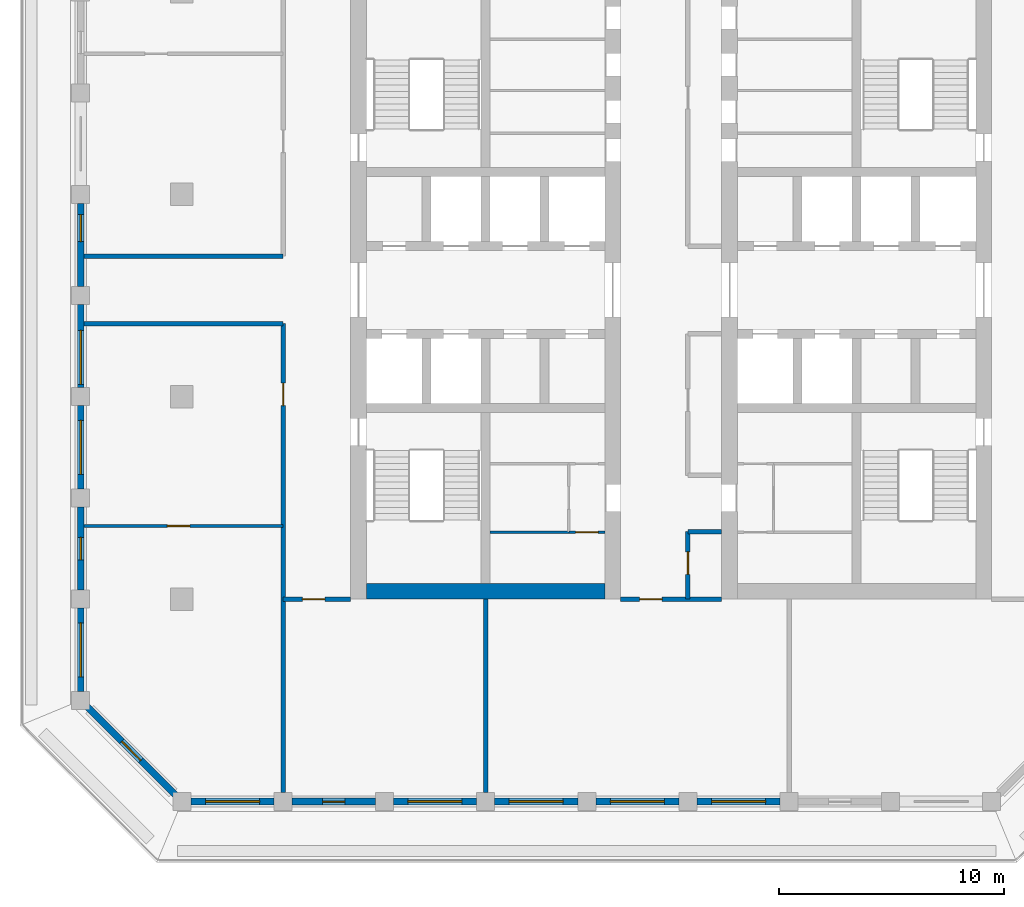
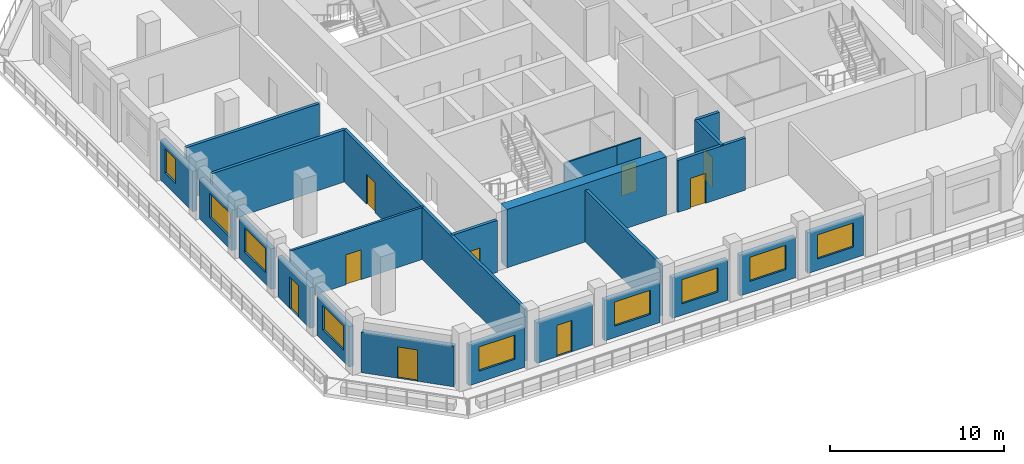
# One storey, part 2 of 14: 24 walls, 9 doors, 9 windows, 18 openings.
"""IFC4 building model written with IfcOpenShell, lengths in metres."""

import ifcopenshell
import ifcopenshell.guid

model = None  # the IFC model being written
_history = None  # IfcOwnerHistory: only IFC2X3 demands one
_inside = {}  # id of a spatial element -> (the spatial element, [elements in it])
_under = {}  # id of a project, library or spatial element -> (it, [spatial elements below it])
_declared = {}  # id of a project -> (the project, [libraries it declares])
_typed = {}  # id of a type object -> (the type object, [elements of that type])
_made_of = {}  # id of a material, layer set ... -> (it, [elements and type objects made of it])


def new_model(schema):
    """Start an empty IFC model of exactly this schema.

    Asked for "IFC4X3", IfcOpenShell would pick the latest addendum, in which some entities
    have other attributes; the version numbers below select the first issue.
    IFC2X3 requires an IfcOwnerHistory on every rooted entity: one is made here for all.
    """
    global model, _history
    if schema == "IFC4X3":
        model = ifcopenshell.file(schema_version=(4, 3, 0, 0))
    else:
        model = ifcopenshell.file(schema=schema)
    _inside.clear()
    _under.clear()
    _declared.clear()
    _typed.clear()
    _made_of.clear()
    _history = None
    if model.schema == "IFC2X3":
        org = make("IfcOrganization", Name="unknown")
        user = make(
            "IfcPersonAndOrganization",
            ThePerson=make("IfcPerson", FamilyName="unknown"),
            TheOrganization=org,
        )
        app = make(
            "IfcApplication",
            ApplicationDeveloper=org,
            Version="unknown",
            ApplicationFullName="unknown",
            ApplicationIdentifier="unknown",
        )
        _history = make(
            "IfcOwnerHistory",
            OwningUser=user,
            OwningApplication=app,
            ChangeAction="ADDED",
            CreationDate=0,
        )
    return model


def make(cls, **values):
    """One entity of the class cls with the attributes given. An attribute that is None is left unset."""
    return model.create_entity(
        cls, **{name: value for name, value in values.items() if value is not None}
    )


def rooted(cls, **values):
    """An entity with a GlobalId (a new one), such as an element, a storey or a relation."""
    return make(cls, GlobalId=ifcopenshell.guid.new(), OwnerHistory=_history, **values)


def si_unit(unit_type, name, prefix=None):
    """IfcSIUnit, for example si_unit("LENGTHUNIT", "METRE", prefix="MILLI")."""
    return make("IfcSIUnit", UnitType=unit_type, Prefix=prefix, Name=name)


def assignment(units):
    """IfcUnitAssignment: the units of a project."""
    return None if units is None else make("IfcUnitAssignment", Units=units)


def point(xyz):
    """IfcCartesianPoint."""
    return None if xyz is None else make("IfcCartesianPoint", Coordinates=xyz)


def direction(xyz):
    """IfcDirection."""
    return None if xyz is None else make("IfcDirection", DirectionRatios=xyz)


def frame(location, z_axis=None, x_axis=None):
    """IfcAxis2Placement3D, a coordinate frame: its origin and axes. An axis left out is left unset."""
    return make(
        "IfcAxis2Placement3D",
        Location=point(location),
        Axis=direction(z_axis),
        RefDirection=direction(x_axis),
    )


def frame_2d(location, x_axis=None):
    """IfcAxis2Placement2D, a coordinate frame in the plane: its origin and x axis."""
    return make(
        "IfcAxis2Placement2D", Location=point(location), RefDirection=direction(x_axis)
    )


def origin():
    """The frame at (0, 0, 0) with its axes left unset."""
    return frame((0.0, 0.0, 0.0))


def place(relative_to, where):
    """IfcLocalPlacement: puts the frame where relative to a parent placement (None: the world)."""
    return make(
        "IfcLocalPlacement", PlacementRelTo=relative_to, RelativePlacement=where
    )


def context(
    kind, dimensions, precision=None, world=None, true_north=None, identifier=None
):
    """IfcGeometricRepresentationContext, for example the 3D "Model" context."""
    return make(
        "IfcGeometricRepresentationContext",
        ContextIdentifier=identifier,
        ContextType=kind,
        CoordinateSpaceDimension=dimensions,
        Precision=precision,
        WorldCoordinateSystem=world,
        TrueNorth=true_north,
    )


def subcontext(parent, identifier, kind, view, scale=None):
    """IfcGeometricRepresentationSubContext, for example "Body" below "Model"."""
    return make(
        "IfcGeometricRepresentationSubContext",
        ContextIdentifier=identifier,
        ContextType=kind,
        ParentContext=parent,
        TargetScale=scale,
        TargetView=view,
    )


def project(units=None, contexts=None):
    """IfcProject with its units and contexts."""
    return rooted(
        "IfcProject",
        Name="project",
        RepresentationContexts=contexts,
        UnitsInContext=assignment(units),
    )


def spatial(cls, under=None, at=None, **own):
    """A site, building, storey or space (cls), placed at a placement, below another one or the project."""
    s = rooted(cls, ObjectPlacement=at, **own)
    if under is not None:
        _under.setdefault(under.id(), (under, []))[1].append(s)
    return s


def profile(cls, at=None, kind="AREA", **sizes):
    """A parametric profile (cls). Its sizes go by their IFC names, for example OverallWidth=200.0."""
    return make(cls, ProfileType=kind, Position=at, **sizes)


def rectangle(**sizes):
    """IfcRectangleProfileDef."""
    return profile("IfcRectangleProfileDef", **sizes)


def extrude(swept, where, along, depth):
    """IfcExtrudedAreaSolid: the profile swept, set in the frame where, extruded along a direction by depth."""
    return make(
        "IfcExtrudedAreaSolid",
        SweptArea=swept,
        Position=where,
        ExtrudedDirection=direction(along),
        Depth=depth,
    )


def shape(context_of_items, identifier, shape_type, items):
    """IfcShapeRepresentation: the items that make up one representation, for example the "Body"."""
    return make(
        "IfcShapeRepresentation",
        ContextOfItems=context_of_items,
        RepresentationIdentifier=identifier,
        RepresentationType=shape_type,
        Items=items,
    )


def material(Name=None, Category=None):
    """IfcMaterial."""
    return make("IfcMaterial", Name=Name, Category=Category)


def layer(
    of_material, thickness, ventilated=None, Name=None, Category=None, Priority=None
):
    """IfcMaterialLayer: one layer of a wall or slab, of a material (None: an air gap)."""
    return make(
        "IfcMaterialLayer",
        Material=of_material,
        LayerThickness=thickness,
        IsVentilated=ventilated,
        Name=Name,
        Category=Category,
        Priority=Priority,
    )


def layer_set(layers, Name=None):
    """IfcMaterialLayerSet."""
    return make("IfcMaterialLayerSet", MaterialLayers=layers, LayerSetName=Name)


def made_of(thing, what):
    """Note that an element or type object is made of a material, layer set ...; save() writes the relation."""
    if what is not None:
        _made_of.setdefault(what.id(), (what, []))[1].append(thing)
    return thing


def type_object(cls, material=None, **own):
    """A type object (cls), such as IfcWallType, which elements share."""
    return made_of(rooted(cls, **own), material)


def element(
    cls,
    number,
    at=None,
    inside=None,
    cuts=None,
    type_object=None,
    material=None,
    context=None,
    identifier="Body",
    shape_type=None,
    held_by="IfcProductDefinitionShape",
    body=None,
    shapes=None,
    **own,
):
    """One element of the class cls, such as IfcWall. Its Tag is "e" and its number.

    at: its placement. inside: the storey or other place that contains it. cuts: it is an
    opening in that element (IfcRelVoidsElement). A single representation is given by context,
    identifier, shape_type and body (its items); several are given by shapes. held_by: the class
    of the entity that holds the representations. save() writes the other relations.
    """
    e = rooted(cls, Tag="e%d" % number, ObjectPlacement=at, **own)
    if body is not None:
        shapes = [shape(context, identifier, shape_type, body)]
    if shapes is not None:
        e.Representation = make(held_by, Representations=shapes)
    if inside is not None:
        _inside.setdefault(inside.id(), (inside, []))[1].append(e)
    if cuts is not None:
        rooted(
            "IfcRelVoidsElement", RelatingBuildingElement=cuts, RelatedOpeningElement=e
        )
    if type_object is not None:
        _typed.setdefault(type_object.id(), (type_object, []))[1].append(e)
    return made_of(e, material)


def fill(opening, filler):
    """IfcRelFillsElement: the door or window that sits in an opening."""
    return rooted(
        "IfcRelFillsElement",
        RelatingOpeningElement=opening,
        RelatedBuildingElement=filler,
    )


def aggregate(whole, parts):
    """IfcRelAggregates: a whole, such as a stair, and the parts it consists of."""
    return rooted("IfcRelAggregates", RelatingObject=whole, RelatedObjects=parts)


def save(model, path):
    """Write the relations noted so far, then the file.

    IfcRelAggregates (storeys below a building ...), IfcRelContainedInSpatialStructure (elements
    in a storey), IfcRelDefinesByType, IfcRelAssociatesMaterial and IfcRelDeclares: one each for
    every whole, place, type object, material and project.
    """
    for whole, parts in _under.values():
        aggregate(whole, parts)
    for where, things in _inside.values():
        rooted(
            "IfcRelContainedInSpatialStructure",
            RelatedElements=things,
            RelatingStructure=where,
        )
    for kind, things in _typed.values():
        rooted("IfcRelDefinesByType", RelatedObjects=things, RelatingType=kind)
    for what, things in _made_of.values():
        rooted("IfcRelAssociatesMaterial", RelatedObjects=things, RelatingMaterial=what)
    for by, libraries in _declared.values():
        rooted("IfcRelDeclares", RelatingContext=by, RelatedDefinitions=libraries)
    model.write(path)


model = new_model("IFC4")

# Units and contexts
model_context = context("Model", 3, precision=1e-05, world=origin(), true_north=direction((0.0, 1.0)))
body_context = subcontext(model_context, "Body", "Model", "MODEL_VIEW")
ifc_project = project(units=[si_unit("LENGTHUNIT", "METRE"), si_unit("AREAUNIT", "SQUARE_METRE"), si_unit("VOLUMEUNIT", "CUBIC_METRE"), si_unit("PLANEANGLEUNIT", "RADIAN"), si_unit("MASSUNIT", "GRAM", prefix="KILO")], contexts=[model_context])

# Site, building, storey
site_placement = place(None, origin())
site = spatial("IfcSite", under=ifc_project, at=site_placement, CompositionType="ELEMENT")
building_placement = place(site_placement, origin())
building = spatial("IfcBuilding", under=site, at=building_placement, Name="Corbel Stack Research Tower", CompositionType="ELEMENT")
storey_placement = place(building_placement, frame((0.0, 0.0, 270.39990234375)))
storey = spatial("IfcBuildingStorey", under=building, at=storey_placement, Name="L61", CompositionType="ELEMENT", Elevation=270.39990234375)

# Wall
ifc_material_1 = material(Name="Concrete C60/75", Category="concrete")
ifc_layer_1 = layer(ifc_material_1, 0.699951171875)
ifc_layer_set_1 = layer_set([ifc_layer_1], Name="Concrete C60/75")
wall_type_1 = type_object("IfcWallType", Name="CW-700-60", PredefinedType="SHEAR", material=ifc_layer_set_1)
wall_1_placement = place(storey_placement, frame((-9.800048828125, -8.64990234375, 0.0), z_axis=(0.0, 0.0, 1.0), x_axis=(1.0, 0.0, 0.0)))
element("IfcWall", 1, at=wall_1_placement, inside=storey, type_object=wall_type_1, Name="West core wall, south end L61", PredefinedType="SHEAR", context=body_context, shape_type="SweptSolid", body=[
    extrude(rectangle(XDim=10.60009765625, YDim=0.699951171875, at=frame_2d((5.300048828125, 0.0))), origin(), (0.0, 0.0, 1.0), 4.10009765625),
])

# Wall, opening, door
ifc_material_2 = material(Name="Gypsum board")
ifc_layer_2 = layer(ifc_material_2, 0.10009765625)
ifc_layer_set_2 = layer_set([ifc_layer_2], Name="Gypsum board")
wall_type_2 = type_object("IfcWallType", Name="Core partition 100", PredefinedType="PARTITIONING", material=ifc_layer_set_2)
wall_2_placement = place(storey_placement, frame((-0.800048828125, -6.02001953125, 0.0), z_axis=(0.0, 0.0, 1.0), x_axis=(1.0, 0.0, 0.0)))
wall_2 = element("IfcWall", 2, at=wall_2_placement, inside=storey, type_object=wall_type_2, Name="Core partition W", PredefinedType="PARTITIONING", context=body_context, shape_type="SweptSolid", body=[
    extrude(rectangle(XDim=1.60009765625, YDim=0.10009765625, at=frame_2d((0.800048828125, 0.0))), origin(), (0.0, 0.0, 1.0), 3.650146484375),
])
opening_1_placement = place(wall_2_placement, frame((0.300048828125, 0.0, 0.0)))
opening_1 = element("IfcOpeningElement", 3, at=opening_1_placement, cuts=wall_2, Name="Opening CR-W36-W2-1000", PredefinedType="OPENING", context=body_context, shape_type="SweptSolid", body=[
    extrude(rectangle(XDim=1.0, YDim=2.10009765625, at=frame_2d((0.5, 1.050048828125))), frame((0.0, 0.06005859375, 0.0), z_axis=(0.0, -1.0, 0.0), x_axis=(1.0, 0.0, 0.0)), (0.0, 0.0, 1.0), 0.1201171875),
])
ifc_material_3 = material(Name="Painted timber door", Category="wood")
door_type_1 = type_object("IfcDoorType", Name="WC door 1000 x 2100 right hand", OperationType="SINGLE_SWING_RIGHT", PredefinedType="DOOR", material=ifc_material_3)
door_1_placement = place(opening_1_placement, origin())
door_1 = element("IfcDoor", 4, at=door_1_placement, inside=storey, type_object=door_type_1, Name="Men's WC door W core", OperationType="SINGLE_SWING_RIGHT", OverallHeight=2.10009765625, OverallWidth=1.0, PredefinedType="DOOR", context=body_context, shape_type="SweptSolid", body=[
    extrude(rectangle(XDim=1.0, YDim=2.10009765625, at=frame_2d((0.5, 1.050048828125))), frame((0.0, 0.02490234375, 0.0), z_axis=(0.0, -1.0, 0.0), x_axis=(1.0, 0.0, 0.0)), (0.0, 0.0, 1.0), 0.050048828125),
])
fill(opening_1, door_1)

# Wall
wall_3_placement = place(storey_placement, frame((-4.300048828125, -6.02001953125, 0.0), z_axis=(0.0, 0.0, 1.0), x_axis=(1.0, 0.0, 0.0)))
element("IfcWall", 5, at=wall_3_placement, inside=storey, type_object=wall_type_2, Name="Core partition W", PredefinedType="PARTITIONING", context=body_context, shape_type="SweptSolid", body=[
    extrude(rectangle(XDim=3.5, YDim=0.10009765625, at=frame_2d((1.75, 0.0))), origin(), (0.0, 0.0, 1.0), 3.650146484375),
])

# Wall, opening, door
ifc_material_4 = material(Name="Fire-rated gypsum board partition on steel studs", Category="steel")
ifc_layer_3 = layer(ifc_material_4, 0.199951171875)
ifc_layer_set_3 = layer_set([ifc_layer_3], Name="Fire-rated gypsum board partition on steel studs")
wall_type_3 = type_object("IfcWallType", Name="Fire-rated partition 200 EI 60", PredefinedType="PARTITIONING", material=ifc_layer_set_3)
wall_4_placement = place(storey_placement, frame((-13.5, -17.60009765625, 0.0), z_axis=(0.0, 0.0, 1.0), x_axis=(0.0, 1.0, 0.0)))
wall_4 = element("IfcWall", 6, at=wall_4_placement, inside=storey, type_object=wall_type_3, Name="Partition L61-001", PredefinedType="PARTITIONING", context=body_context, shape_type="SweptSolid", body=[
    extrude(rectangle(XDim=20.85009765625, YDim=0.199951171875, at=frame_2d((10.425048828125, 0.0))), origin(), (0.0, 0.0, 1.0), 3.650146484375),
])
opening_2_placement = place(wall_4_placement, frame((17.199951171875, 0.0, 0.0)))
opening_2 = element("IfcOpeningElement", 7, at=opening_2_placement, cuts=wall_4, Name="Opening B8V1-001", PredefinedType="OPENING", context=body_context, shape_type="SweptSolid", body=[
    extrude(rectangle(XDim=1.0, YDim=2.10009765625, at=frame_2d((0.5, 1.050048828125))), frame((0.0, 0.10986328125, 0.0), z_axis=(0.0, -1.0, 0.0), x_axis=(1.0, 0.0, 0.0)), (0.0, 0.0, 1.0), 0.219970703125),
])
ifc_material_5 = material(Name="Painted steel fire door", Category="steel")
door_type_2 = type_object("IfcDoorType", Name="Fire door FD30S 1000 x 2100", OperationType="NOTDEFINED", PredefinedType="DOOR", material=ifc_material_5)
door_2_placement = place(opening_2_placement, origin())
door_2 = element("IfcDoor", 8, at=door_2_placement, inside=storey, type_object=door_type_2, Name="Door B8V1-001", OperationType="SINGLE_SWING_RIGHT", OverallHeight=2.10009765625, OverallWidth=1.0, PredefinedType="DOOR", context=body_context, shape_type="SweptSolid", body=[
    extrude(rectangle(XDim=1.0, YDim=2.10009765625, at=frame_2d((0.5, 1.050048828125))), frame((0.0, 0.02490234375, 0.0), z_axis=(0.0, -1.0, 0.0), x_axis=(1.0, 0.0, 0.0)), (0.0, 0.0, 1.0), 0.050048828125),
])
fill(opening_2, door_2)

# Wall
wall_5_placement = place(storey_placement, frame((-4.5, -17.60009765625, 0.0), z_axis=(0.0, 0.0, 1.0), x_axis=(0.0, 1.0, 0.0)))
element("IfcWall", 9, at=wall_5_placement, inside=storey, type_object=wall_type_3, Name="Partition L61-003", PredefinedType="PARTITIONING", context=body_context, shape_type="SweptSolid", body=[
    extrude(rectangle(XDim=8.60009765625, YDim=0.199951171875, at=frame_2d((4.300048828125, 0.0))), origin(), (0.0, 0.0, 1.0), 3.650146484375),
])

# Wall, opening, door
wall_6_placement = place(storey_placement, frame((4.5, -6.0, 0.0), z_axis=(0.0, 0.0, 1.0), x_axis=(0.0, -1.0, 0.0)))
wall_6 = element("IfcWall", 10, at=wall_6_placement, inside=storey, type_object=wall_type_3, Name="Partition L61-005", PredefinedType="PARTITIONING", context=body_context, shape_type="SweptSolid", body=[
    extrude(rectangle(XDim=3.0, YDim=0.199951171875, at=frame_2d((1.5, 0.0))), origin(), (0.0, 0.0, 1.0), 3.650146484375),
])
opening_3_placement = place(wall_6_placement, frame((0.89990234375, 0.0, 0.0)))
opening_3 = element("IfcOpeningElement", 11, at=opening_3_placement, cuts=wall_6, Name="Opening B8V1-007", PredefinedType="OPENING", context=body_context, shape_type="SweptSolid", body=[
    extrude(rectangle(XDim=1.0, YDim=2.10009765625, at=frame_2d((0.5, 1.050048828125))), frame((0.0, 0.10986328125, 0.0), z_axis=(0.0, -1.0, 0.0), x_axis=(1.0, 0.0, 0.0)), (0.0, 0.0, 1.0), 0.219970703125),
])
door_3_placement = place(opening_3_placement, origin())
door_3 = element("IfcDoor", 12, at=door_3_placement, inside=storey, type_object=door_type_2, Name="Door B8V1-007", OperationType="SINGLE_SWING_LEFT", OverallHeight=2.10009765625, OverallWidth=1.0, PredefinedType="DOOR", context=body_context, shape_type="SweptSolid", body=[
    extrude(rectangle(XDim=1.0, YDim=2.10009765625, at=frame_2d((0.5, 1.050048828125))), frame((0.0, 0.02490234375, 0.0), z_axis=(0.0, -1.0, 0.0), x_axis=(1.0, 0.0, 0.0)), (0.0, 0.0, 1.0), 0.050048828125),
])
fill(opening_3, door_3)

wall_7_placement = place(storey_placement, frame((-10.5, -9.0, 0.0), z_axis=(0.0, 0.0, 1.0), x_axis=(-1.0, 0.0, 0.0)))
wall_7 = element("IfcWall", 13, at=wall_7_placement, inside=storey, type_object=wall_type_3, Name="Partition L61-011", PredefinedType="PARTITIONING", context=body_context, shape_type="SweptSolid", body=[
    extrude(rectangle(XDim=3.0, YDim=0.199951171875, at=frame_2d((1.5, 0.0))), origin(), (0.0, 0.0, 1.0), 3.650146484375),
])
opening_4_placement = place(wall_7_placement, frame((1.14990234375, 0.0, 0.0)))
opening_4 = element("IfcOpeningElement", 14, at=opening_4_placement, cuts=wall_7, Name="Opening B8V1-003", PredefinedType="OPENING", context=body_context, shape_type="SweptSolid", body=[
    extrude(rectangle(XDim=1.0, YDim=2.10009765625, at=frame_2d((0.5, 1.050048828125))), frame((0.0, 0.10986328125, 0.0), z_axis=(0.0, -1.0, 0.0), x_axis=(1.0, 0.0, 0.0)), (0.0, 0.0, 1.0), 0.219970703125),
])
door_4_placement = place(opening_4_placement, origin())
door_4 = element("IfcDoor", 15, at=door_4_placement, inside=storey, type_object=door_type_2, Name="Door B8V1-003", OperationType="SINGLE_SWING_RIGHT", OverallHeight=2.10009765625, OverallWidth=1.0, PredefinedType="DOOR", context=body_context, shape_type="SweptSolid", body=[
    extrude(rectangle(XDim=1.0, YDim=2.10009765625, at=frame_2d((0.5, 1.050048828125))), frame((0.0, 0.02490234375, 0.0), z_axis=(0.0, -1.0, 0.0), x_axis=(1.0, 0.0, 0.0)), (0.0, 0.0, 1.0), 0.050048828125),
])
fill(opening_4, door_4)

wall_8_placement = place(storey_placement, frame((6.0, -9.0, 0.0), z_axis=(0.0, 0.0, 1.0), x_axis=(-1.0, 0.0, 0.0)))
wall_8 = element("IfcWall", 16, at=wall_8_placement, inside=storey, type_object=wall_type_3, Name="Partition L61-012", PredefinedType="PARTITIONING", context=body_context, shape_type="SweptSolid", body=[
    extrude(rectangle(XDim=4.5, YDim=0.199951171875, at=frame_2d((2.25, 0.0))), origin(), (0.0, 0.0, 1.0), 3.650146484375),
])
opening_5_placement = place(wall_8_placement, frame((2.64990234375, 0.0, 0.0)))
opening_5 = element("IfcOpeningElement", 17, at=opening_5_placement, cuts=wall_8, Name="Opening B8V1-004", PredefinedType="OPENING", context=body_context, shape_type="SweptSolid", body=[
    extrude(rectangle(XDim=1.0, YDim=2.10009765625, at=frame_2d((0.5, 1.050048828125))), frame((0.0, 0.10986328125, 0.0), z_axis=(0.0, -1.0, 0.0), x_axis=(1.0, 0.0, 0.0)), (0.0, 0.0, 1.0), 0.219970703125),
])
door_5_placement = place(opening_5_placement, origin())
door_5 = element("IfcDoor", 18, at=door_5_placement, inside=storey, type_object=door_type_2, Name="Door B8V1-004", OperationType="SINGLE_SWING_RIGHT", OverallHeight=2.10009765625, OverallWidth=1.0, PredefinedType="DOOR", context=body_context, shape_type="SweptSolid", body=[
    extrude(rectangle(XDim=1.0, YDim=2.10009765625, at=frame_2d((0.5, 1.050048828125))), frame((0.0, 0.02490234375, 0.0), z_axis=(0.0, -1.0, 0.0), x_axis=(1.0, 0.0, 0.0)), (0.0, 0.0, 1.0), 0.050048828125),
])
fill(opening_5, door_5)

# Walls
wall_9_placement = place(storey_placement, frame((4.5, -6.0, 0.0), z_axis=(0.0, 0.0, 1.0), x_axis=(1.0, 0.0, 0.0)))
element("IfcWall", 19, at=wall_9_placement, inside=storey, type_object=wall_type_3, Name="Partition L61-014", PredefinedType="PARTITIONING", context=body_context, shape_type="SweptSolid", body=[
    extrude(rectangle(XDim=1.5, YDim=0.199951171875, at=frame_2d((0.75, 0.0))), origin(), (0.0, 0.0, 1.0), 3.650146484375),
])
for number, where, z_axis, x_axis, name in (
    (20, (-22.35009765625, 3.25, 0.0), (0.0, 0.0, 1.0), (1.0, 0.0, 0.0), "Partition L61-018"),
    (21, (-22.35009765625, 6.25, 0.0), (0.0, 0.0, 1.0), (1.0, 0.0, 0.0), "Partition L61-019"),
):
    element("IfcWall", number, at=place(storey_placement, frame(where, z_axis=z_axis, x_axis=x_axis)), inside=storey, type_object=wall_type_3, Name=name, PredefinedType="PARTITIONING", context=body_context, shape_type="SweptSolid", body=[
        extrude(rectangle(XDim=8.85009765625, YDim=0.199951171875, at=frame_2d((4.425048828125, 0.0))), origin(), (0.0, 0.0, 1.0), 3.650146484375),
    ])

# Wall, opening, door
ifc_material_6 = material(Name="Gypsum board partition on steel studs", Category="steel")
ifc_layer_4 = layer(ifc_material_6, 0.14990234375)
ifc_layer_set_4 = layer_set([ifc_layer_4], Name="Gypsum board partition on steel studs")
wall_type_4 = type_object("IfcWallType", Name="Partition 150", PredefinedType="PARTITIONING", material=ifc_layer_set_4)
wall_10_placement = place(storey_placement, frame((-13.5, -5.75, 0.0), z_axis=(0.0, 0.0, 1.0), x_axis=(-1.0, 0.0, 0.0)))
wall_10 = element("IfcWall", 22, at=wall_10_placement, inside=storey, type_object=wall_type_4, Name="Partition L61-015", PredefinedType="PARTITIONING", context=body_context, shape_type="SweptSolid", body=[
    extrude(rectangle(XDim=8.85009765625, YDim=0.14990234375, at=frame_2d((4.425048828125, 0.0))), origin(), (0.0, 0.0, 1.0), 3.650146484375),
])
opening_6_placement = place(wall_10_placement, frame((4.14990234375, 0.0, 0.0)))
opening_6 = element("IfcOpeningElement", 23, at=opening_6_placement, cuts=wall_10, Name="Opening B8V1-006", PredefinedType="OPENING", context=body_context, shape_type="SweptSolid", body=[
    extrude(rectangle(XDim=1.0, YDim=2.10009765625, at=frame_2d((0.5, 1.050048828125))), frame((0.0, 0.0849609375, 0.0), z_axis=(0.0, -1.0, 0.0), x_axis=(1.0, 0.0, 0.0)), (0.0, 0.0, 1.0), 0.169921875),
])
ifc_material_7 = material(Name="Painted timber door", Category="wood")
door_type_3 = type_object("IfcDoorType", Name="Single door 1000 x 2100", OperationType="NOTDEFINED", PredefinedType="DOOR", material=ifc_material_7)
door_6_placement = place(opening_6_placement, origin())
door_6 = element("IfcDoor", 24, at=door_6_placement, inside=storey, type_object=door_type_3, Name="Door B8V1-006", OperationType="SINGLE_SWING_RIGHT", OverallHeight=2.10009765625, OverallWidth=1.0, PredefinedType="DOOR", context=body_context, shape_type="SweptSolid", body=[
    extrude(rectangle(XDim=1.0, YDim=2.10009765625, at=frame_2d((0.5, 1.050048828125))), frame((0.0, 0.02490234375, 0.0), z_axis=(0.0, -1.0, 0.0), x_axis=(1.0, 0.0, 0.0)), (0.0, 0.0, 1.0), 0.050048828125),
])
fill(opening_6, door_6)

# Wall, opening, window
ifc_material_8 = material(Name="Concrete C45/55", Category="concrete")
ifc_layer_5 = layer(ifc_material_8, 0.300048828125)
ifc_layer_set_5 = layer_set([ifc_layer_5], Name="Concrete C45/55")
wall_type_5 = type_object("IfcWallType", Name="Terracotta-faced concrete wall 300", PredefinedType="SOLIDWALL", material=ifc_layer_set_5)
wall_11_placement = place(storey_placement, frame((-13.89990234375, -18.0, 0.0), z_axis=(0.0, 0.0, 1.0), x_axis=(-1.0, 0.0, 0.0)))
wall_11 = element("IfcWall", 25, at=wall_11_placement, inside=storey, type_object=wall_type_5, Name="Facade wall L61 S01", PredefinedType="SOLIDWALL", context=body_context, shape_type="SweptSolid", body=[
    extrude(rectangle(XDim=3.7001953125, YDim=0.300048828125, at=frame_2d((1.85009765625, 0.0))), origin(), (0.0, 0.0, 1.0), 2.85009765625),
])
opening_7_placement = place(wall_11_placement, frame((0.64990234375, 0.0, 0.800048828125)))
opening_7 = element("IfcOpeningElement", 26, at=opening_7_placement, cuts=wall_11, Name="Opening W1", PredefinedType="OPENING", context=body_context, shape_type="SweptSolid", body=[
    extrude(rectangle(XDim=2.39990234375, YDim=1.699951171875, at=frame_2d((1.199951171875, 0.85009765625))), frame((0.0, 0.159912109375, 0.0), z_axis=(0.0, -1.0, 0.0), x_axis=(1.0, 0.0, 0.0)), (0.0, 0.0, 1.0), 0.320068359375),
])
ifc_material_9 = material(Name="Aluminium frame, clear double glazing", Category="aluminium")
window_type_1 = type_object("IfcWindowType", Name="Window W1 2400 x 1700", PartitioningType="SINGLE_PANEL", PredefinedType="WINDOW", material=ifc_material_9)
window_1_placement = place(opening_7_placement, origin())
window_1 = element("IfcWindow", 27, at=window_1_placement, inside=storey, type_object=window_type_1, Name="Window W1 L61 S01", OverallHeight=1.699951171875, OverallWidth=2.39990234375, PartitioningType="SINGLE_PANEL", PredefinedType="WINDOW", context=body_context, shape_type="SweptSolid", body=[
    extrude(rectangle(XDim=2.39990234375, YDim=1.699951171875, at=frame_2d((1.199951171875, 0.85009765625))), frame((0.0, 0.030029296875, 0.0), z_axis=(0.0, -1.0, 0.0), x_axis=(1.0, 0.0, 0.0)), (0.0, 0.0, 1.0), 0.06005859375),
])
fill(opening_7, window_1)

# Wall, opening, door
wall_12_placement = place(storey_placement, frame((-9.39990234375, -18.0, 0.0), z_axis=(0.0, 0.0, 1.0), x_axis=(-1.0, 0.0, 0.0)))
wall_12 = element("IfcWall", 28, at=wall_12_placement, inside=storey, type_object=wall_type_5, Name="Facade wall L61 S02", PredefinedType="SOLIDWALL", context=body_context, shape_type="SweptSolid", body=[
    extrude(rectangle(XDim=3.7001953125, YDim=0.300048828125, at=frame_2d((1.85009765625, 0.0))), origin(), (0.0, 0.0, 1.0), 2.85009765625),
])
opening_8_placement = place(wall_12_placement, frame((1.35009765625, 0.0, 0.0)))
opening_8 = element("IfcOpeningElement", 29, at=opening_8_placement, cuts=wall_12, Name="Opening L61-B01", PredefinedType="OPENING", context=body_context, shape_type="SweptSolid", body=[
    extrude(rectangle(XDim=1.0, YDim=2.199951171875, at=frame_2d((0.5, 1.10009765625))), frame((0.0, 0.159912109375, 0.0), z_axis=(0.0, -1.0, 0.0), x_axis=(1.0, 0.0, 0.0)), (0.0, 0.0, 1.0), 0.320068359375),
])
ifc_material_10 = material(Name="Aluminium frame, clear double glazing", Category="aluminium")
door_type_4 = type_object("IfcDoorType", Name="Balcony door BD1 1000 x 2200", OperationType="NOTDEFINED", PredefinedType="DOOR", material=ifc_material_10)
door_7_placement = place(opening_8_placement, origin())
door_7 = element("IfcDoor", 30, at=door_7_placement, inside=storey, type_object=door_type_4, Name="Balcony door L61-B01", OperationType="SINGLE_SWING_LEFT", OverallHeight=2.199951171875, OverallWidth=1.0, PredefinedType="DOOR", context=body_context, shape_type="SweptSolid", body=[
    extrude(rectangle(XDim=1.0, YDim=2.199951171875, at=frame_2d((0.5, 1.10009765625))), frame((0.0, 0.02490234375, 0.0), z_axis=(0.0, -1.0, 0.0), x_axis=(1.0, 0.0, 0.0)), (0.0, 0.0, 1.0), 0.050048828125),
])
fill(opening_8, door_7)

# Wall, opening, window
wall_13_placement = place(storey_placement, frame((-4.89990234375, -18.0, 0.0), z_axis=(0.0, 0.0, 1.0), x_axis=(-1.0, 0.0, 0.0)))
wall_13 = element("IfcWall", 31, at=wall_13_placement, inside=storey, type_object=wall_type_5, Name="Facade wall L61 S03", PredefinedType="SOLIDWALL", context=body_context, shape_type="SweptSolid", body=[
    extrude(rectangle(XDim=3.7001953125, YDim=0.300048828125, at=frame_2d((1.85009765625, 0.0))), origin(), (0.0, 0.0, 1.0), 2.85009765625),
])
opening_9_placement = place(wall_13_placement, frame((0.64990234375, 0.0, 0.800048828125)))
opening_9 = element("IfcOpeningElement", 32, at=opening_9_placement, cuts=wall_13, Name="Opening W1", PredefinedType="OPENING", context=body_context, shape_type="SweptSolid", body=[
    extrude(rectangle(XDim=2.39990234375, YDim=1.699951171875, at=frame_2d((1.199951171875, 0.85009765625))), frame((0.0, 0.159912109375, 0.0), z_axis=(0.0, -1.0, 0.0), x_axis=(1.0, 0.0, 0.0)), (0.0, 0.0, 1.0), 0.320068359375),
])
window_2_placement = place(opening_9_placement, origin())
window_2 = element("IfcWindow", 33, at=window_2_placement, inside=storey, type_object=window_type_1, Name="Window W1 L61 S03", OverallHeight=1.699951171875, OverallWidth=2.39990234375, PartitioningType="SINGLE_PANEL", PredefinedType="WINDOW", context=body_context, shape_type="SweptSolid", body=[
    extrude(rectangle(XDim=2.39990234375, YDim=1.699951171875, at=frame_2d((1.199951171875, 0.85009765625))), frame((0.0, 0.030029296875, 0.0), z_axis=(0.0, -1.0, 0.0), x_axis=(1.0, 0.0, 0.0)), (0.0, 0.0, 1.0), 0.06005859375),
])
fill(opening_9, window_2)

wall_14_placement = place(storey_placement, frame((-0.39990234375, -18.0, 0.0), z_axis=(0.0, 0.0, 1.0), x_axis=(-1.0, 0.0, 0.0)))
wall_14 = element("IfcWall", 34, at=wall_14_placement, inside=storey, type_object=wall_type_5, Name="Facade wall L61 S04", PredefinedType="SOLIDWALL", context=body_context, shape_type="SweptSolid", body=[
    extrude(rectangle(XDim=3.7001953125, YDim=0.300048828125, at=frame_2d((1.85009765625, 0.0))), origin(), (0.0, 0.0, 1.0), 2.85009765625),
])
opening_10_placement = place(wall_14_placement, frame((0.64990234375, 0.0, 0.800048828125)))
opening_10 = element("IfcOpeningElement", 35, at=opening_10_placement, cuts=wall_14, Name="Opening W1", PredefinedType="OPENING", context=body_context, shape_type="SweptSolid", body=[
    extrude(rectangle(XDim=2.39990234375, YDim=1.699951171875, at=frame_2d((1.199951171875, 0.85009765625))), frame((0.0, 0.159912109375, 0.0), z_axis=(0.0, -1.0, 0.0), x_axis=(1.0, 0.0, 0.0)), (0.0, 0.0, 1.0), 0.320068359375),
])
window_3_placement = place(opening_10_placement, origin())
window_3 = element("IfcWindow", 36, at=window_3_placement, inside=storey, type_object=window_type_1, Name="Window W1 L61 S04", OverallHeight=1.699951171875, OverallWidth=2.39990234375, PartitioningType="SINGLE_PANEL", PredefinedType="WINDOW", context=body_context, shape_type="SweptSolid", body=[
    extrude(rectangle(XDim=2.39990234375, YDim=1.699951171875, at=frame_2d((1.199951171875, 0.85009765625))), frame((0.0, 0.030029296875, 0.0), z_axis=(0.0, -1.0, 0.0), x_axis=(1.0, 0.0, 0.0)), (0.0, 0.0, 1.0), 0.06005859375),
])
fill(opening_10, window_3)

wall_15_placement = place(storey_placement, frame((4.10009765625, -18.0, 0.0), z_axis=(0.0, 0.0, 1.0), x_axis=(-1.0, 0.0, 0.0)))
wall_15 = element("IfcWall", 37, at=wall_15_placement, inside=storey, type_object=wall_type_5, Name="Facade wall L61 S05", PredefinedType="SOLIDWALL", context=body_context, shape_type="SweptSolid", body=[
    extrude(rectangle(XDim=3.7001953125, YDim=0.300048828125, at=frame_2d((1.85009765625, 0.0))), origin(), (0.0, 0.0, 1.0), 2.85009765625),
])
opening_11_placement = place(wall_15_placement, frame((0.64990234375, 0.0, 0.800048828125)))
opening_11 = element("IfcOpeningElement", 38, at=opening_11_placement, cuts=wall_15, Name="Opening W1", PredefinedType="OPENING", context=body_context, shape_type="SweptSolid", body=[
    extrude(rectangle(XDim=2.39990234375, YDim=1.699951171875, at=frame_2d((1.199951171875, 0.85009765625))), frame((0.0, 0.159912109375, 0.0), z_axis=(0.0, -1.0, 0.0), x_axis=(1.0, 0.0, 0.0)), (0.0, 0.0, 1.0), 0.320068359375),
])
window_4_placement = place(opening_11_placement, origin())
window_4 = element("IfcWindow", 39, at=window_4_placement, inside=storey, type_object=window_type_1, Name="Window W1 L61 S05", OverallHeight=1.699951171875, OverallWidth=2.39990234375, PartitioningType="SINGLE_PANEL", PredefinedType="WINDOW", context=body_context, shape_type="SweptSolid", body=[
    extrude(rectangle(XDim=2.39990234375, YDim=1.699951171875, at=frame_2d((1.199951171875, 0.85009765625))), frame((0.0, 0.030029296875, 0.0), z_axis=(0.0, -1.0, 0.0), x_axis=(1.0, 0.0, 0.0)), (0.0, 0.0, 1.0), 0.06005859375),
])
fill(opening_11, window_4)

wall_16_placement = place(storey_placement, frame((8.60009765625, -18.0, 0.0), z_axis=(0.0, 0.0, 1.0), x_axis=(-1.0, 0.0, 0.0)))
wall_16 = element("IfcWall", 40, at=wall_16_placement, inside=storey, type_object=wall_type_5, Name="Facade wall L61 S06", PredefinedType="SOLIDWALL", context=body_context, shape_type="SweptSolid", body=[
    extrude(rectangle(XDim=3.7001953125, YDim=0.300048828125, at=frame_2d((1.85009765625, 0.0))), origin(), (0.0, 0.0, 1.0), 2.85009765625),
])
opening_12_placement = place(wall_16_placement, frame((0.64990234375, 0.0, 0.800048828125)))
opening_12 = element("IfcOpeningElement", 41, at=opening_12_placement, cuts=wall_16, Name="Opening W1", PredefinedType="OPENING", context=body_context, shape_type="SweptSolid", body=[
    extrude(rectangle(XDim=2.39990234375, YDim=1.699951171875, at=frame_2d((1.199951171875, 0.85009765625))), frame((0.0, 0.159912109375, 0.0), z_axis=(0.0, -1.0, 0.0), x_axis=(1.0, 0.0, 0.0)), (0.0, 0.0, 1.0), 0.320068359375),
])
window_5_placement = place(opening_12_placement, origin())
window_5 = element("IfcWindow", 42, at=window_5_placement, inside=storey, type_object=window_type_1, Name="Window W1 L61 S06", OverallHeight=1.699951171875, OverallWidth=2.39990234375, PartitioningType="SINGLE_PANEL", PredefinedType="WINDOW", context=body_context, shape_type="SweptSolid", body=[
    extrude(rectangle(XDim=2.39990234375, YDim=1.699951171875, at=frame_2d((1.199951171875, 0.85009765625))), frame((0.0, 0.030029296875, 0.0), z_axis=(0.0, -1.0, 0.0), x_axis=(1.0, 0.0, 0.0)), (0.0, 0.0, 1.0), 0.06005859375),
])
fill(opening_12, window_5)

wall_17_placement = place(storey_placement, frame((-22.5, 4.89990234375, 0.0), z_axis=(0.0, 0.0, 1.0), x_axis=(0.0, 1.0, 0.0)))
wall_17 = element("IfcWall", 43, at=wall_17_placement, inside=storey, type_object=wall_type_5, Name="Facade wall L61 W04", PredefinedType="SOLIDWALL", context=body_context, shape_type="SweptSolid", body=[
    extrude(rectangle(XDim=3.7001953125, YDim=0.300048828125, at=frame_2d((1.85009765625, 0.0))), origin(), (0.0, 0.0, 1.0), 2.85009765625),
])
opening_13_placement = place(wall_17_placement, frame((2.0, 0.0, 0.800048828125)))
opening_13 = element("IfcOpeningElement", 44, at=opening_13_placement, cuts=wall_17, Name="Opening W2", PredefinedType="OPENING", context=body_context, shape_type="SweptSolid", body=[
    extrude(rectangle(XDim=1.199951171875, YDim=1.699951171875, at=frame_2d((0.60009765625, 0.85009765625))), frame((0.0, 0.159912109375, 0.0), z_axis=(0.0, -1.0, 0.0), x_axis=(1.0, 0.0, 0.0)), (0.0, 0.0, 1.0), 0.320068359375),
])
ifc_material_11 = material(Name="Aluminium frame, clear double glazing", Category="aluminium")
window_type_2 = type_object("IfcWindowType", Name="Window W2 1200 x 1700", PartitioningType="SINGLE_PANEL", PredefinedType="WINDOW", material=ifc_material_11)
window_6_placement = place(opening_13_placement, origin())
window_6 = element("IfcWindow", 45, at=window_6_placement, inside=storey, type_object=window_type_2, Name="Window W2 L61 W04", OverallHeight=1.699951171875, OverallWidth=1.199951171875, PartitioningType="SINGLE_PANEL", PredefinedType="WINDOW", context=body_context, shape_type="SweptSolid", body=[
    extrude(rectangle(XDim=1.199951171875, YDim=1.699951171875, at=frame_2d((0.60009765625, 0.85009765625))), frame((0.0, 0.030029296875, 0.0), z_axis=(0.0, -1.0, 0.0), x_axis=(1.0, 0.0, 0.0)), (0.0, 0.0, 1.0), 0.06005859375),
])
fill(opening_13, window_6)

wall_18_placement = place(storey_placement, frame((-22.5, 0.39990234375, 0.0), z_axis=(0.0, 0.0, 1.0), x_axis=(0.0, 1.0, 0.0)))
wall_18 = element("IfcWall", 46, at=wall_18_placement, inside=storey, type_object=wall_type_5, Name="Facade wall L61 W05", PredefinedType="SOLIDWALL", context=body_context, shape_type="SweptSolid", body=[
    extrude(rectangle(XDim=3.7001953125, YDim=0.300048828125, at=frame_2d((1.85009765625, 0.0))), origin(), (0.0, 0.0, 1.0), 2.85009765625),
])
opening_14_placement = place(wall_18_placement, frame((0.14990234375, 0.0, 0.800048828125)))
opening_14 = element("IfcOpeningElement", 47, at=opening_14_placement, cuts=wall_18, Name="Opening W1", PredefinedType="OPENING", context=body_context, shape_type="SweptSolid", body=[
    extrude(rectangle(XDim=2.39990234375, YDim=1.699951171875, at=frame_2d((1.199951171875, 0.85009765625))), frame((0.0, 0.159912109375, 0.0), z_axis=(0.0, -1.0, 0.0), x_axis=(1.0, 0.0, 0.0)), (0.0, 0.0, 1.0), 0.320068359375),
])
window_7_placement = place(opening_14_placement, origin())
window_7 = element("IfcWindow", 48, at=window_7_placement, inside=storey, type_object=window_type_1, Name="Window W1 L61 W05", OverallHeight=1.699951171875, OverallWidth=2.39990234375, PartitioningType="SINGLE_PANEL", PredefinedType="WINDOW", context=body_context, shape_type="SweptSolid", body=[
    extrude(rectangle(XDim=2.39990234375, YDim=1.699951171875, at=frame_2d((1.199951171875, 0.85009765625))), frame((0.0, 0.030029296875, 0.0), z_axis=(0.0, -1.0, 0.0), x_axis=(1.0, 0.0, 0.0)), (0.0, 0.0, 1.0), 0.06005859375),
])
fill(opening_14, window_7)

wall_19_placement = place(storey_placement, frame((-22.5, -4.10009765625, 0.0), z_axis=(0.0, 0.0, 1.0), x_axis=(0.0, 1.0, 0.0)))
wall_19 = element("IfcWall", 49, at=wall_19_placement, inside=storey, type_object=wall_type_5, Name="Facade wall L61 W06", PredefinedType="SOLIDWALL", context=body_context, shape_type="SweptSolid", body=[
    extrude(rectangle(XDim=3.7001953125, YDim=0.300048828125, at=frame_2d((1.85009765625, 0.0))), origin(), (0.0, 0.0, 1.0), 2.85009765625),
])
opening_15_placement = place(wall_19_placement, frame((0.64990234375, 0.0, 0.800048828125)))
opening_15 = element("IfcOpeningElement", 50, at=opening_15_placement, cuts=wall_19, Name="Opening W1", PredefinedType="OPENING", context=body_context, shape_type="SweptSolid", body=[
    extrude(rectangle(XDim=2.39990234375, YDim=1.699951171875, at=frame_2d((1.199951171875, 0.85009765625))), frame((0.0, 0.159912109375, 0.0), z_axis=(0.0, -1.0, 0.0), x_axis=(1.0, 0.0, 0.0)), (0.0, 0.0, 1.0), 0.320068359375),
])
window_8_placement = place(opening_15_placement, origin())
window_8 = element("IfcWindow", 51, at=window_8_placement, inside=storey, type_object=window_type_1, Name="Window W1 L61 W06", OverallHeight=1.699951171875, OverallWidth=2.39990234375, PartitioningType="SINGLE_PANEL", PredefinedType="WINDOW", context=body_context, shape_type="SweptSolid", body=[
    extrude(rectangle(XDim=2.39990234375, YDim=1.699951171875, at=frame_2d((1.199951171875, 0.85009765625))), frame((0.0, 0.030029296875, 0.0), z_axis=(0.0, -1.0, 0.0), x_axis=(1.0, 0.0, 0.0)), (0.0, 0.0, 1.0), 0.06005859375),
])
fill(opening_15, window_8)

# Wall, opening, door
wall_20_placement = place(storey_placement, frame((-22.5, -8.60009765625, 0.0), z_axis=(0.0, 0.0, 1.0), x_axis=(0.0, 1.0, 0.0)))
wall_20 = element("IfcWall", 52, at=wall_20_placement, inside=storey, type_object=wall_type_5, Name="Facade wall L61 W07", PredefinedType="SOLIDWALL", context=body_context, shape_type="SweptSolid", body=[
    extrude(rectangle(XDim=3.7001953125, YDim=0.300048828125, at=frame_2d((1.85009765625, 0.0))), origin(), (0.0, 0.0, 1.0), 2.85009765625),
])
opening_16_placement = place(wall_20_placement, frame((1.35009765625, 0.0, 0.0)))
opening_16 = element("IfcOpeningElement", 53, at=opening_16_placement, cuts=wall_20, Name="Opening L61-B11", PredefinedType="OPENING", context=body_context, shape_type="SweptSolid", body=[
    extrude(rectangle(XDim=1.0, YDim=2.199951171875, at=frame_2d((0.5, 1.10009765625))), frame((0.0, 0.159912109375, 0.0), z_axis=(0.0, -1.0, 0.0), x_axis=(1.0, 0.0, 0.0)), (0.0, 0.0, 1.0), 0.320068359375),
])
door_8_placement = place(opening_16_placement, origin())
door_8 = element("IfcDoor", 54, at=door_8_placement, inside=storey, type_object=door_type_4, Name="Balcony door L61-B11", OperationType="SINGLE_SWING_RIGHT", OverallHeight=2.199951171875, OverallWidth=1.0, PredefinedType="DOOR", context=body_context, shape_type="SweptSolid", body=[
    extrude(rectangle(XDim=1.0, YDim=2.199951171875, at=frame_2d((0.5, 1.10009765625))), frame((0.0, 0.02490234375, 0.0), z_axis=(0.0, -1.0, 0.0), x_axis=(1.0, 0.0, 0.0)), (0.0, 0.0, 1.0), 0.050048828125),
])
fill(opening_16, door_8)

# Wall, opening, window
wall_21_placement = place(storey_placement, frame((-22.5, -13.10009765625, 0.0), z_axis=(0.0, 0.0, 1.0), x_axis=(0.0, 1.0, 0.0)))
wall_21 = element("IfcWall", 55, at=wall_21_placement, inside=storey, type_object=wall_type_5, Name="Facade wall L61 W08", PredefinedType="SOLIDWALL", context=body_context, shape_type="SweptSolid", body=[
    extrude(rectangle(XDim=3.7001953125, YDim=0.300048828125, at=frame_2d((1.85009765625, 0.0))), origin(), (0.0, 0.0, 1.0), 2.85009765625),
])
opening_17_placement = place(wall_21_placement, frame((0.64990234375, 0.0, 0.800048828125)))
opening_17 = element("IfcOpeningElement", 56, at=opening_17_placement, cuts=wall_21, Name="Opening W1", PredefinedType="OPENING", context=body_context, shape_type="SweptSolid", body=[
    extrude(rectangle(XDim=2.39990234375, YDim=1.699951171875, at=frame_2d((1.199951171875, 0.85009765625))), frame((0.0, 0.159912109375, 0.0), z_axis=(0.0, -1.0, 0.0), x_axis=(1.0, 0.0, 0.0)), (0.0, 0.0, 1.0), 0.320068359375),
])
window_9_placement = place(opening_17_placement, origin())
window_9 = element("IfcWindow", 57, at=window_9_placement, inside=storey, type_object=window_type_1, Name="Window W1 L61 W08", OverallHeight=1.699951171875, OverallWidth=2.39990234375, PartitioningType="SINGLE_PANEL", PredefinedType="WINDOW", context=body_context, shape_type="SweptSolid", body=[
    extrude(rectangle(XDim=2.39990234375, YDim=1.699951171875, at=frame_2d((1.199951171875, 0.85009765625))), frame((0.0, 0.030029296875, 0.0), z_axis=(0.0, -1.0, 0.0), x_axis=(1.0, 0.0, 0.0)), (0.0, 0.0, 1.0), 0.06005859375),
])
fill(opening_17, window_9)

# Wall, opening, door
wall_22_placement = place(storey_placement, frame((-18.2939453125, -17.7060546875, 0.0), z_axis=(0.0, 0.0, 1.0), x_axis=(-0.707106781187, 0.707106781187, 0.0)))
wall_22 = element("IfcWall", 58, at=wall_22_placement, inside=storey, type_object=wall_type_5, Name="Facade wall L61 SW01", PredefinedType="SOLIDWALL", context=body_context, shape_type="SweptSolid", body=[
    extrude(rectangle(XDim=5.532470703125, YDim=0.300048828125, at=frame_2d((2.76611328125, 0.0))), origin(), (0.0, 0.0, 1.0), 2.85009765625),
])
opening_18_placement = place(wall_22_placement, frame((2.166259765625, 0.0, 0.0)))
opening_18 = element("IfcOpeningElement", 59, at=opening_18_placement, cuts=wall_22, Name="Opening L61-B12", PredefinedType="OPENING", context=body_context, shape_type="SweptSolid", body=[
    extrude(rectangle(XDim=1.199951171875, YDim=2.199951171875, at=frame_2d((0.60009765625, 1.10009765625))), frame((0.0, 0.159912109375, 0.0), z_axis=(0.0, -1.0, 0.0), x_axis=(1.0, 0.0, 0.0)), (0.0, 0.0, 1.0), 0.320068359375),
])
ifc_material_12 = material(Name="Aluminium frame, clear double glazing", Category="aluminium")
door_type_5 = type_object("IfcDoorType", Name="Balcony door BD2 1200 x 2200", OperationType="NOTDEFINED", PredefinedType="DOOR", material=ifc_material_12)
door_9_placement = place(opening_18_placement, origin())
door_9 = element("IfcDoor", 60, at=door_9_placement, inside=storey, type_object=door_type_5, Name="Balcony door L61-B12", OperationType="SINGLE_SWING_RIGHT", OverallHeight=2.199951171875, OverallWidth=1.199951171875, PredefinedType="DOOR", context=body_context, shape_type="SweptSolid", body=[
    extrude(rectangle(XDim=1.199951171875, YDim=2.199951171875, at=frame_2d((0.60009765625, 1.10009765625))), frame((0.0, 0.02490234375, 0.0), z_axis=(0.0, -1.0, 0.0), x_axis=(1.0, 0.0, 0.0)), (0.0, 0.0, 1.0), 0.050048828125),
])
fill(opening_18, door_9)

save(model, "model.ifc")
